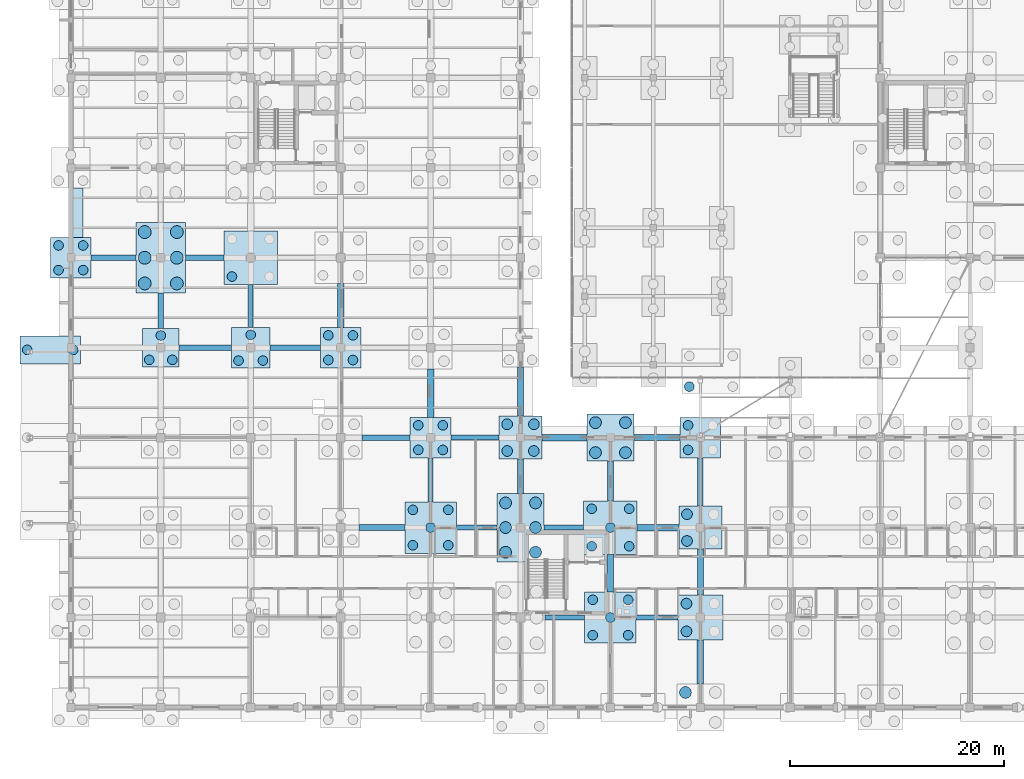
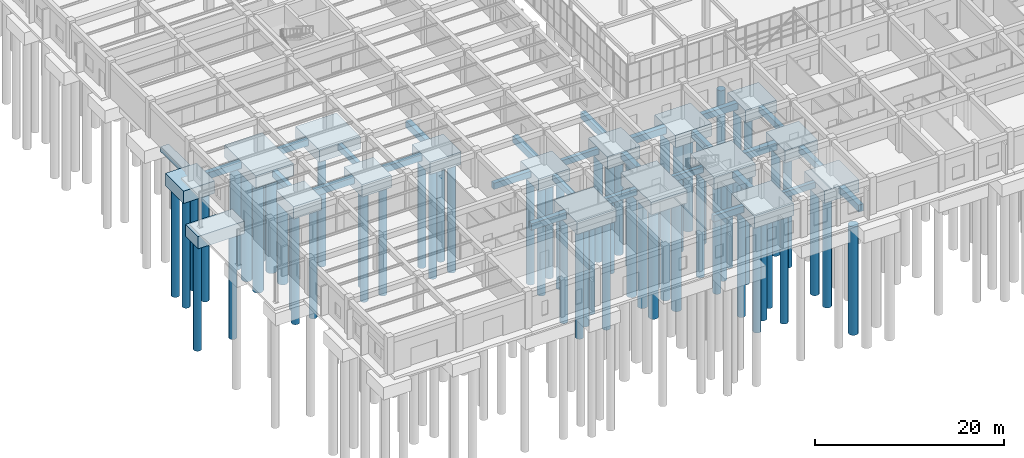
# One storey, part 2 of 192: 64 piles, 44 footings.
"""IFC4 building model written with IfcOpenShell, lengths in metres."""

from ifc_helpers import new_model, si_unit, direction, frame, origin, origin_2d, place, context, subcontext, project, spatial, rectangle, circle, extrude, material, layer, layer_set, material_profile, profile_set, type_object, element, save


model = new_model("IFC4")

# Units and contexts
model_context = context("Model", 3, precision=1e-05, world=origin(), true_north=direction((0.0, 1.0)))
body_context = subcontext(model_context, "Body", "Model", "MODEL_VIEW")
ifc_project = project(units=[si_unit("LENGTHUNIT", "METRE"), si_unit("AREAUNIT", "SQUARE_METRE"), si_unit("VOLUMEUNIT", "CUBIC_METRE"), si_unit("PLANEANGLEUNIT", "RADIAN"), si_unit("MASSUNIT", "GRAM", prefix="KILO")], contexts=[model_context])

# Site, building, storey
site_placement = place(None, origin())
site = spatial("IfcSite", under=ifc_project, at=site_placement, CompositionType="ELEMENT")
building_placement = place(site_placement, origin())
building = spatial("IfcBuilding", under=site, at=building_placement, Name="Trelvath General Hospital", CompositionType="ELEMENT")
storey_placement = place(building_placement, origin())
storey = spatial("IfcBuildingStorey", under=building, at=storey_placement, Name="L00", CompositionType="ELEMENT", Elevation=0.0)

# Piles
ifc_material_1 = material(Name="Concrete C35/45", Category="concrete")
ifc_material_profile_1 = material_profile(ifc_material_1, circle(Radius=0.5, at=origin_2d()), Name="PILE1000")
ifc_profile_set_1 = profile_set([ifc_material_profile_1], Name="Concrete C35/45")
pile_type_1 = type_object("IfcPileType", Name="BoredPile D1000", PredefinedType="BORED", material=ifc_profile_set_1)
for number, where, z_axis, x_axis, name in (
    (1, (40.75, 23.949951171875, -1.800048828125), (0.0, 0.0, -1.0), (1.0, 0.0, 0.0), "Bored Pile P-0317"),
    (2, (43.25, 23.949951171875, -1.800048828125), (0.0, 0.0, -1.0), (1.0, 0.0, 0.0), "Bored Pile P-0318"),
    (3, (40.75, 26.449951171875, -1.800048828125), (0.0, 0.0, -1.0), (1.0, 0.0, 0.0), "Bored Pile P-0319"),
    (4, (43.25, 26.449951171875, -1.800048828125), (0.0, 0.0, -1.0), (1.0, 0.0, 0.0), "Bored Pile P-0320"),
    (5, (57.5, 7.10009765625, -1.800048828125), (0.0, 0.0, -1.0), (1.0, 0.0, 0.0), "Bored Pile P-0432"),
    (6, (57.5, 9.699951171875, -1.800048828125), (0.0, 0.0, -1.0), (1.0, 0.0, 0.0), "Bored Pile P-0434"),
    (7, (57.550048828125, 15.550048828125, -1.800048828125), (0.0, 0.0, -1.0), (1.0, 0.0, 0.0), "Bored Pile P-0436"),
    (8, (57.550048828125, 18.050048828125, -1.800048828125), (0.0, 0.0, -1.0), (1.0, 0.0, 0.0), "Bored Pile P-0438"),
):
    element("IfcPile", number, at=place(storey_placement, frame(where, z_axis=z_axis, x_axis=x_axis)), inside=storey, type_object=pile_type_1, Name=name, PredefinedType="BORED", context=body_context, shape_type="SweptSolid", body=[
        extrude(circle(Radius=0.5, at=origin_2d()), origin(), (0.0, 0.0, 1.0), 14.0),
    ])
ifc_material_2 = material(Name="Concrete C35/45", Category="concrete")
ifc_material_profile_2 = material_profile(ifc_material_2, circle(Radius=0.550048828125, at=origin_2d()), Name="PILE1100")
ifc_profile_set_2 = profile_set([ifc_material_profile_2], Name="Concrete C35/45")
pile_type_2 = type_object("IfcPileType", Name="BoredPile D1100", PredefinedType="BORED", material=ifc_profile_set_2)
for number, where, z_axis, x_axis, name in (
    (9, (40.60009765625, 14.5, -1.800048828125), (0.0, 0.0, -1.0), (1.0, 0.0, 0.0), "Bored Pile P-0311"),
    (10, (43.39990234375, 14.5, -1.800048828125), (0.0, 0.0, -1.0), (1.0, 0.0, 0.0), "Bored Pile P-0312"),
    (11, (40.60009765625, 16.800048828125, -1.800048828125), (0.0, 0.0, -1.0), (1.0, 0.0, 0.0), "Bored Pile P-0313"),
    (12, (43.39990234375, 16.800048828125, -1.800048828125), (0.0, 0.0, -1.0), (1.0, 0.0, 0.0), "Bored Pile P-0314"),
    (13, (40.60009765625, 19.10009765625, -1.800048828125), (0.0, 0.0, -1.0), (1.0, 0.0, 0.0), "Bored Pile P-0315"),
    (14, (43.39990234375, 19.10009765625, -1.800048828125), (0.0, 0.0, -1.0), (1.0, 0.0, 0.0), "Bored Pile P-0316"),
    (15, (49.0, 23.800048828125, -1.800048828125), (0.0, 0.0, -1.0), (1.0, 0.0, 0.0), "Bored Pile P-0392"),
    (16, (51.800048828125, 23.800048828125, -1.800048828125), (0.0, 0.0, -1.0), (1.0, 0.0, 0.0), "Bored Pile P-0393"),
    (17, (49.0, 26.60009765625, -1.800048828125), (0.0, 0.0, -1.0), (1.0, 0.0, 0.0), "Bored Pile P-0394"),
    (18, (51.800048828125, 26.60009765625, -1.800048828125), (0.0, 0.0, -1.0), (1.0, 0.0, 0.0), "Bored Pile P-0395"),
    (19, (57.39990234375, 1.39990234375, -1.800048828125), (0.0, 0.0, -1.0), (1.0, 0.0, 0.0), "Bored Pile P-0430"),
):
    element("IfcPile", number, at=place(storey_placement, frame(where, z_axis=z_axis, x_axis=x_axis)), inside=storey, type_object=pile_type_2, Name=name, PredefinedType="BORED", context=body_context, shape_type="SweptSolid", body=[
        extrude(circle(Radius=0.550048828125, at=origin_2d()), origin(), (0.0, 0.0, 1.0), 14.0),
    ])
ifc_material_3 = material(Name="Concrete C35/45", Category="concrete")
ifc_material_profile_3 = material_profile(ifc_material_3, circle(Radius=0.60009765625, at=origin_2d()), Name="PILE1200")
ifc_profile_set_3 = profile_set([ifc_material_profile_3], Name="Concrete C35/45")
pile_type_3 = type_object("IfcPileType", Name="BoredPile D1200", PredefinedType="BORED", material=ifc_profile_set_3)
for number, where, z_axis, x_axis, name in (
    (20, (6.89990234375, 39.60009765625, -1.800048828125), (0.0, 0.0, -1.0), (1.0, 0.0, 0.0), "Bored Pile P-0066"),
    (21, (9.89990234375, 39.60009765625, -1.800048828125), (0.0, 0.0, -1.0), (1.0, 0.0, 0.0), "Bored Pile P-0067"),
    (22, (6.89990234375, 42.0, -1.800048828125), (0.0, 0.0, -1.0), (1.0, 0.0, 0.0), "Bored Pile P-0068"),
    (23, (9.89990234375, 42.0, -1.800048828125), (0.0, 0.0, -1.0), (1.0, 0.0, 0.0), "Bored Pile P-0069"),
    (24, (6.89990234375, 44.39990234375, -1.800048828125), (0.0, 0.0, -1.0), (1.0, 0.0, 0.0), "Bored Pile P-0070"),
    (25, (9.89990234375, 44.39990234375, -1.800048828125), (0.0, 0.0, -1.0), (1.0, 0.0, 0.0), "Bored Pile P-0071"),
):
    element("IfcPile", number, at=place(storey_placement, frame(where, z_axis=z_axis, x_axis=x_axis)), inside=storey, type_object=pile_type_3, Name=name, PredefinedType="BORED", context=body_context, shape_type="SweptSolid", body=[
        extrude(circle(Radius=0.60009765625, at=origin_2d()), origin(), (0.0, 0.0, 1.0), 14.0),
    ])
ifc_material_4 = material(Name="Concrete C35/45", Category="concrete")
ifc_material_profile_4 = material_profile(ifc_material_4, circle(Radius=0.449951171875, at=origin_2d()), Name="PILE900")
ifc_profile_set_4 = profile_set([ifc_material_profile_4], Name="Concrete C35/45")
pile_type_4 = type_object("IfcPileType", Name="BoredPile D900", PredefinedType="BORED", material=ifc_profile_set_4)
for number, where, z_axis, x_axis, name in (
    (26, (-4.080078125, 33.39990234375, -1.800048828125), (0.0, 0.0, -1.0), (1.0, 0.0, 0.0), "Bored Pile P-0005"),
    (27, (0.22998046875, 33.39990234375, -1.800048828125), (0.0, 0.0, -1.0), (1.0, 0.0, 0.0), "Bored Pile P-0006"),
    (28, (-1.14990234375, 40.85009765625, -1.800048828125), (0.0, 0.0, -1.0), (1.0, 0.0, 0.0), "Bored Pile P-0014"),
    (29, (1.14990234375, 40.85009765625, -1.800048828125), (0.0, 0.0, -1.0), (1.0, 0.0, 0.0), "Bored Pile P-0015"),
    (30, (-1.14990234375, 43.14990234375, -1.800048828125), (0.0, 0.0, -1.0), (1.0, 0.0, 0.0), "Bored Pile P-0016"),
    (31, (1.14990234375, 43.14990234375, -1.800048828125), (0.0, 0.0, -1.0), (1.0, 0.0, 0.0), "Bored Pile P-0017"),
    (32, (7.320068359375, 32.4599609375, -1.800048828125), (0.0, 0.0, -1.0), (1.0, 0.0, 0.0), "Bored Pile P-0063"),
    (33, (9.47998046875, 32.4599609375, -1.800048828125), (0.0, 0.0, -1.0), (1.0, 0.0, 0.0), "Bored Pile P-0064"),
    (34, (8.39990234375, 34.739990234375, -1.800048828125), (0.0, 0.0, -1.0), (1.0, 0.0, 0.0), "Bored Pile P-0065"),
    (35, (15.659912109375, 32.39990234375, -1.800048828125), (0.0, 0.0, -1.0), (1.0, 0.0, 0.0), "Bored Pile P-0127"),
    (36, (17.93994140625, 32.39990234375, -1.800048828125), (0.0, 0.0, -1.0), (1.0, 0.0, 0.0), "Bored Pile P-0128"),
    (37, (16.800048828125, 34.800048828125, -1.800048828125), (0.0, 0.0, -1.0), (1.0, 0.0, 0.0), "Bored Pile P-0129"),
    (38, (15.050048828125, 40.25, -1.800048828125), (0.0, 0.0, -1.0), (1.0, 0.0, 0.0), "Bored Pile P-0130"),
    (39, (24.050048828125, 32.449951171875, -1.800048828125), (0.0, 0.0, -1.0), (1.0, 0.0, 0.0), "Bored Pile P-0189"),
    (40, (26.35009765625, 32.449951171875, -1.800048828125), (0.0, 0.0, -1.0), (1.0, 0.0, 0.0), "Bored Pile P-0190"),
    (41, (24.050048828125, 34.75, -1.800048828125), (0.0, 0.0, -1.0), (1.0, 0.0, 0.0), "Bored Pile P-0191"),
    (42, (26.35009765625, 34.75, -1.800048828125), (0.0, 0.0, -1.0), (1.0, 0.0, 0.0), "Bored Pile P-0192"),
    (43, (31.949951171875, 15.14990234375, -1.800048828125), (0.0, 0.0, -1.0), (1.0, 0.0, 0.0), "Bored Pile P-0247"),
    (44, (35.25, 15.14990234375, -1.800048828125), (0.0, 0.0, -1.0), (1.0, 0.0, 0.0), "Bored Pile P-0248"),
    (45, (33.60009765625, 16.800048828125, -1.800048828125), (0.0, 0.0, -1.0), (1.0, 0.0, 0.0), "Bored Pile P-0249"),
    (46, (31.949951171875, 18.449951171875, -1.800048828125), (0.0, 0.0, -1.0), (1.0, 0.0, 0.0), "Bored Pile P-0250"),
    (47, (35.25, 18.449951171875, -1.800048828125), (0.0, 0.0, -1.0), (1.0, 0.0, 0.0), "Bored Pile P-0251"),
    (48, (32.449951171875, 24.050048828125, -1.800048828125), (0.0, 0.0, -1.0), (1.0, 0.0, 0.0), "Bored Pile P-0252"),
    (49, (34.75, 24.050048828125, -1.800048828125), (0.0, 0.0, -1.0), (1.0, 0.0, 0.0), "Bored Pile P-0253"),
    (50, (32.449951171875, 26.35009765625, -1.800048828125), (0.0, 0.0, -1.0), (1.0, 0.0, 0.0), "Bored Pile P-0254"),
    (51, (34.75, 26.35009765625, -1.800048828125), (0.0, 0.0, -1.0), (1.0, 0.0, 0.0), "Bored Pile P-0255"),
    (52, (48.75, 6.75, -1.800048828125), (0.0, 0.0, -1.0), (1.0, 0.0, 0.0), "Bored Pile P-0382"),
    (53, (52.050048828125, 6.75, -1.800048828125), (0.0, 0.0, -1.0), (1.0, 0.0, 0.0), "Bored Pile P-0383"),
    (54, (50.39990234375, 8.39990234375, -1.800048828125), (0.0, 0.0, -1.0), (1.0, 0.0, 0.0), "Bored Pile P-0384"),
    (55, (48.75, 10.050048828125, -1.800048828125), (0.0, 0.0, -1.0), (1.0, 0.0, 0.0), "Bored Pile P-0385"),
    (56, (52.050048828125, 10.050048828125, -1.800048828125), (0.0, 0.0, -1.0), (1.0, 0.0, 0.0), "Bored Pile P-0386"),
    (57, (48.64990234375, 15.050048828125, -1.800048828125), (0.0, 0.0, -1.0), (1.0, 0.0, 0.0), "Bored Pile P-0387"),
    (58, (52.14990234375, 15.050048828125, -1.800048828125), (0.0, 0.0, -1.0), (1.0, 0.0, 0.0), "Bored Pile P-0388"),
    (59, (50.39990234375, 16.800048828125, -1.800048828125), (0.0, 0.0, -1.0), (1.0, 0.0, 0.0), "Bored Pile P-0389"),
    (60, (48.64990234375, 18.550048828125, -1.800048828125), (0.0, 0.0, -1.0), (1.0, 0.0, 0.0), "Bored Pile P-0390"),
    (61, (52.14990234375, 18.550048828125, -1.800048828125), (0.0, 0.0, -1.0), (1.0, 0.0, 0.0), "Bored Pile P-0391"),
    (62, (57.64990234375, 24.050048828125, -1.800048828125), (0.0, 0.0, -1.0), (1.0, 0.0, 0.0), "Bored Pile P-0440"),
    (63, (57.64990234375, 26.35009765625, -1.800048828125), (0.0, 0.0, -1.0), (1.0, 0.0, 0.0), "Bored Pile P-0442"),
    (64, (57.77001953125, 29.969970703125, -1.800048828125), (0.0, 0.0, -1.0), (1.0, 0.0, 0.0), "Bored Pile P-0444"),
):
    element("IfcPile", number, at=place(storey_placement, frame(where, z_axis=z_axis, x_axis=x_axis)), inside=storey, type_object=pile_type_4, Name=name, PredefinedType="BORED", context=body_context, shape_type="SweptSolid", body=[
        extrude(circle(Radius=0.449951171875, at=origin_2d()), origin(), (0.0, 0.0, 1.0), 14.0),
    ])

# Footings
ifc_material_5 = material(Name="Concrete C35/45", Category="concrete")
ifc_layer_1 = layer(ifc_material_5, 1.60009765625)
ifc_layer_set_1 = layer_set([ifc_layer_1], Name="Concrete C35/45")
footing_type_1 = type_object("IfcFootingType", Name="PileCap 3P 340x360", PredefinedType="PILE_CAP", material=ifc_layer_set_1)
footing_1_placement = place(storey_placement, frame((8.39990234375, 33.60009765625, -1.900146484375), z_axis=(0.0, 0.0, 1.0), x_axis=(1.0, 0.0, 0.0)))
element("IfcFooting", 65, at=footing_1_placement, inside=storey, type_object=footing_type_1, Name="Pile Cap PC-020", PredefinedType="PILE_CAP", context=body_context, shape_type="SweptSolid", body=[
    extrude(rectangle(XDim=3.39990234375, YDim=3.60009765625, at=origin_2d()), origin(), (0.0, 0.0, 1.0), 1.60009765625),
])
ifc_material_6 = material(Name="Concrete C35/45", Category="concrete")
ifc_layer_2 = layer(ifc_material_6, 1.60009765625)
ifc_layer_set_2 = layer_set([ifc_layer_2], Name="Concrete C35/45")
footing_type_2 = type_object("IfcFootingType", Name="PileCap 3P 360x380", PredefinedType="PILE_CAP", material=ifc_layer_set_2)
footing_2_placement = place(storey_placement, frame((16.800048828125, 33.60009765625, -1.900146484375), z_axis=(0.0, 0.0, 1.0), x_axis=(1.0, 0.0, 0.0)))
element("IfcFooting", 66, at=footing_2_placement, inside=storey, type_object=footing_type_2, Name="Pile Cap PC-035", PredefinedType="PILE_CAP", context=body_context, shape_type="SweptSolid", body=[
    extrude(rectangle(XDim=3.60009765625, YDim=3.800048828125, at=origin_2d()), origin(), (0.0, 0.0, 1.0), 1.60009765625),
])
ifc_material_7 = material(Name="Concrete C35/45", Category="concrete")
ifc_layer_3 = layer(ifc_material_7, 1.60009765625)
ifc_layer_set_3 = layer_set([ifc_layer_3], Name="Concrete C35/45")
footing_type_3 = type_object("IfcFootingType", Name="PileCap 4P 380x380", PredefinedType="PILE_CAP", material=ifc_layer_set_3)
for number, where, z_axis, x_axis, name in (
    (67, (0.0, 42.0, -1.900146484375), (0.0, 0.0, 1.0), (1.0, 0.0, 0.0), "Pile Cap PC-006"),
    (68, (25.199951171875, 33.60009765625, -1.900146484375), (0.0, 0.0, 1.0), (1.0, 0.0, 0.0), "Pile Cap PC-050"),
    (69, (33.60009765625, 25.199951171875, -1.900146484375), (0.0, 0.0, 1.0), (1.0, 0.0, 0.0), "Pile Cap PC-064"),
    (70, (58.800048828125, 25.199951171875, -1.900146484375), (0.0, 0.0, 1.0), (1.0, 0.0, 0.0), "Pile Cap PC-116"),
):
    element("IfcFooting", number, at=place(storey_placement, frame(where, z_axis=z_axis, x_axis=x_axis)), inside=storey, type_object=footing_type_3, Name=name, PredefinedType="PILE_CAP", context=body_context, shape_type="SweptSolid", body=[
        extrude(rectangle(XDim=3.800048828125, YDim=3.800048828125, at=origin_2d()), origin(), (0.0, 0.0, 1.0), 1.60009765625),
    ])
ifc_material_8 = material(Name="Concrete C35/45", Category="concrete")
ifc_layer_4 = layer(ifc_material_8, 1.60009765625)
ifc_layer_set_4 = layer_set([ifc_layer_4], Name="Concrete C35/45")
footing_type_4 = type_object("IfcFootingType", Name="PileCap 4P 400x400", PredefinedType="PILE_CAP", material=ifc_layer_set_4)
for number, where, z_axis, x_axis, name in (
    (71, (42.0, 25.199951171875, -1.900146484375), (0.0, 0.0, 1.0), (1.0, 0.0, 0.0), "Pile Cap PC-079"),
    (72, (58.800048828125, 16.800048828125, -1.900146484375), (0.0, 0.0, 1.0), (1.0, 0.0, 0.0), "Pile Cap PC-115"),
):
    element("IfcFooting", number, at=place(storey_placement, frame(where, z_axis=z_axis, x_axis=x_axis)), inside=storey, type_object=footing_type_4, Name=name, PredefinedType="PILE_CAP", context=body_context, shape_type="SweptSolid", body=[
        extrude(rectangle(XDim=4.0, YDim=4.0, at=origin_2d()), origin(), (0.0, 0.0, 1.0), 1.60009765625),
    ])
ifc_material_9 = material(Name="Concrete C35/45", Category="concrete")
ifc_layer_5 = layer(ifc_material_9, 1.60009765625)
ifc_layer_set_5 = layer_set([ifc_layer_5], Name="Concrete C35/45")
footing_type_5 = type_object("IfcFootingType", Name="PileCap 4P 420x420", PredefinedType="PILE_CAP", material=ifc_layer_set_5)
footing_3_placement = place(storey_placement, frame((58.800048828125, 8.39990234375, -1.900146484375), z_axis=(0.0, 0.0, 1.0), x_axis=(1.0, 0.0, 0.0)))
element("IfcFooting", 73, at=footing_3_placement, inside=storey, type_object=footing_type_5, Name="Pile Cap PC-114", PredefinedType="PILE_CAP", context=body_context, shape_type="SweptSolid", body=[
    extrude(rectangle(XDim=4.199951171875, YDim=4.199951171875, at=origin_2d()), origin(), (0.0, 0.0, 1.0), 1.60009765625),
])
ifc_material_10 = material(Name="Concrete C35/45", Category="concrete")
ifc_layer_6 = layer(ifc_material_10, 1.60009765625)
ifc_layer_set_6 = layer_set([ifc_layer_6], Name="Concrete C35/45")
footing_type_6 = type_object("IfcFootingType", Name="PileCap 4P 440x440", PredefinedType="PILE_CAP", material=ifc_layer_set_6)
footing_4_placement = place(storey_placement, frame((50.39990234375, 25.199951171875, -1.900146484375), z_axis=(0.0, 0.0, 1.0), x_axis=(1.0, 0.0, 0.0)))
element("IfcFooting", 74, at=footing_4_placement, inside=storey, type_object=footing_type_6, Name="Pile Cap PC-101", PredefinedType="PILE_CAP", context=body_context, shape_type="SweptSolid", body=[
    extrude(rectangle(XDim=4.39990234375, YDim=4.39990234375, at=origin_2d()), origin(), (0.0, 0.0, 1.0), 1.60009765625),
])
ifc_material_11 = material(Name="Concrete C35/45", Category="concrete")
ifc_layer_7 = layer(ifc_material_11, 1.60009765625)
ifc_layer_set_7 = layer_set([ifc_layer_7], Name="Concrete C35/45")
footing_type_7 = type_object("IfcFootingType", Name="PileCap 5P 480x480", PredefinedType="PILE_CAP", material=ifc_layer_set_7)
for number, where, z_axis, x_axis, name in (
    (75, (33.60009765625, 16.800048828125, -1.900146484375), (0.0, 0.0, 1.0), (1.0, 0.0, 0.0), "Pile Cap PC-063"),
    (76, (50.39990234375, 8.39990234375, -1.900146484375), (0.0, 0.0, 1.0), (1.0, 0.0, 0.0), "Pile Cap PC-099"),
):
    element("IfcFooting", number, at=place(storey_placement, frame(where, z_axis=z_axis, x_axis=x_axis)), inside=storey, type_object=footing_type_7, Name=name, PredefinedType="PILE_CAP", context=body_context, shape_type="SweptSolid", body=[
        extrude(rectangle(XDim=4.800048828125, YDim=4.800048828125, at=origin_2d()), origin(), (0.0, 0.0, 1.0), 1.60009765625),
    ])
ifc_material_12 = material(Name="Concrete C35/45", Category="concrete")
ifc_layer_8 = layer(ifc_material_12, 1.60009765625)
ifc_layer_set_8 = layer_set([ifc_layer_8], Name="Concrete C35/45")
footing_type_8 = type_object("IfcFootingType", Name="PileCap 5P 500x500", PredefinedType="PILE_CAP", material=ifc_layer_set_8)
for number, where, z_axis, x_axis, name in (
    (77, (16.800048828125, 42.0, -1.900146484375), (0.0, 0.0, 1.0), (1.0, 0.0, 0.0), "Pile Cap PC-036"),
    (78, (50.39990234375, 16.800048828125, -1.900146484375), (0.0, 0.0, 1.0), (1.0, 0.0, 0.0), "Pile Cap PC-100"),
):
    element("IfcFooting", number, at=place(storey_placement, frame(where, z_axis=z_axis, x_axis=x_axis)), inside=storey, type_object=footing_type_8, Name=name, PredefinedType="PILE_CAP", context=body_context, shape_type="SweptSolid", body=[
        extrude(rectangle(XDim=5.0, YDim=5.0, at=origin_2d()), origin(), (0.0, 0.0, 1.0), 1.60009765625),
    ])
ifc_material_13 = material(Name="Concrete C35/45", Category="concrete")
ifc_layer_9 = layer(ifc_material_13, 1.60009765625)
ifc_layer_set_9 = layer_set([ifc_layer_9], Name="Concrete C35/45")
footing_type_9 = type_object("IfcFootingType", Name="PileCap 6P 440x640", PredefinedType="PILE_CAP", material=ifc_layer_set_9)
footing_5_placement = place(storey_placement, frame((42.0, 16.800048828125, -1.900146484375), z_axis=(0.0, 0.0, 1.0), x_axis=(1.0, 0.0, 0.0)))
element("IfcFooting", 79, at=footing_5_placement, inside=storey, type_object=footing_type_9, Name="Pile Cap PC-078", PredefinedType="PILE_CAP", context=body_context, shape_type="SweptSolid", body=[
    extrude(rectangle(XDim=4.39990234375, YDim=6.39990234375, at=origin_2d()), origin(), (0.0, 0.0, 1.0), 1.60009765625),
])
ifc_material_14 = material(Name="Concrete C35/45", Category="concrete")
ifc_layer_10 = layer(ifc_material_14, 1.60009765625)
ifc_layer_set_10 = layer_set([ifc_layer_10], Name="Concrete C35/45")
footing_type_10 = type_object("IfcFootingType", Name="PileCap 6P 460x660", PredefinedType="PILE_CAP", material=ifc_layer_set_10)
footing_6_placement = place(storey_placement, frame((8.39990234375, 42.0, -1.900146484375), z_axis=(0.0, 0.0, 1.0), x_axis=(1.0, 0.0, 0.0)))
element("IfcFooting", 80, at=footing_6_placement, inside=storey, type_object=footing_type_10, Name="Pile Cap PC-021", PredefinedType="PILE_CAP", context=body_context, shape_type="SweptSolid", body=[
    extrude(rectangle(XDim=4.60009765625, YDim=6.60009765625, at=origin_2d()), origin(), (0.0, 0.0, 1.0), 1.60009765625),
])
ifc_material_15 = material(Name="Concrete C35/45", Category="concrete")
ifc_layer_11 = layer(ifc_material_15, 1.60009765625)
ifc_layer_set_11 = layer_set([ifc_layer_11], Name="Concrete C35/45")
footing_type_11 = type_object("IfcFootingType", Name="PileCap Comb 565x260", PredefinedType="PILE_CAP", material=ifc_layer_set_11)
footing_7_placement = place(storey_placement, frame((-1.925048828125, 33.39990234375, -1.900146484375), z_axis=(0.0, 0.0, 1.0), x_axis=(1.0, 0.0, 0.0)))
element("IfcFooting", 81, at=footing_7_placement, inside=storey, type_object=footing_type_11, Name="Pile Cap PC-003", PredefinedType="PILE_CAP", context=body_context, shape_type="SweptSolid", body=[
    extrude(rectangle(XDim=5.64990234375, YDim=2.60009765625, at=origin_2d()), origin(), (0.0, 0.0, 1.0), 1.60009765625),
])
ifc_material_16 = material(Name="Concrete C35/45", Category="concrete")
ifc_layer_12 = layer(ifc_material_16, 0.64990234375)
ifc_layer_set_12 = layer_set([ifc_layer_12], Name="Concrete C35/45")
footing_type_12 = type_object("IfcFootingType", Name="StripFooting 1000x650", PredefinedType="STRIP_FOOTING", material=ifc_layer_set_12)
footing_8_placement = place(storey_placement, frame((0.64990234375, 46.199951171875, -1.010009765625), z_axis=(0.0, 0.0, 1.0), x_axis=(1.0, 0.0, 0.0)))
element("IfcFooting", 82, at=footing_8_placement, inside=storey, type_object=footing_type_12, Name="Radiation Wall Strip Footing SF-02", PredefinedType="STRIP_FOOTING", context=body_context, shape_type="SweptSolid", body=[
    extrude(rectangle(XDim=1.0, YDim=4.60009765625, at=origin_2d()), origin(), (0.0, 0.0, 1.0), 0.64990234375),
])
ifc_material_17 = material(Name="Concrete C35/45", Category="concrete")
ifc_layer_13 = layer(ifc_material_17, 0.75)
ifc_layer_set_13 = layer_set([ifc_layer_13], Name="Concrete C35/45")
footing_type_13 = type_object("IfcFootingType", Name="TieBeam 450x750", PredefinedType="FOOTING_BEAM", material=ifc_layer_set_13)
footing_9_placement = place(storey_placement, frame((16.800048828125, 37.5, -1.050048828125), z_axis=(0.0, 0.0, 1.0), x_axis=(1.0, 0.0, 0.0)))
element("IfcFooting", 83, at=footing_9_placement, inside=storey, type_object=footing_type_13, Name="Foundation Tie Beam TB-049", PredefinedType="FOOTING_BEAM", context=body_context, shape_type="SweptSolid", body=[
    extrude(rectangle(XDim=0.449951171875, YDim=4.0, at=origin_2d()), origin(), (0.0, 0.0, 1.0), 0.75),
])
footing_10_placement = place(storey_placement, frame((33.60009765625, 21.25, -1.050048828125), z_axis=(0.0, 0.0, 1.0), x_axis=(1.0, 0.0, 0.0)))
element("IfcFooting", 84, at=footing_10_placement, inside=storey, type_object=footing_type_13, Name="Foundation Tie Beam TB-097", PredefinedType="FOOTING_BEAM", context=body_context, shape_type="SweptSolid", body=[
    extrude(rectangle(XDim=0.449951171875, YDim=4.10009765625, at=origin_2d()), origin(), (0.0, 0.0, 1.0), 0.75),
])
footing_11_placement = place(storey_placement, frame((37.75, 25.199951171875, -1.050048828125), z_axis=(0.0, 0.0, 1.0), x_axis=(1.0, 0.0, 0.0)))
element("IfcFooting", 85, at=footing_11_placement, inside=storey, type_object=footing_type_13, Name="Foundation Tie Beam TB-098", PredefinedType="FOOTING_BEAM", context=body_context, shape_type="SweptSolid", body=[
    extrude(rectangle(XDim=4.5, YDim=0.449951171875, at=origin_2d()), origin(), (0.0, 0.0, 1.0), 0.75),
])
footing_12_placement = place(storey_placement, frame((46.050048828125, 16.800048828125, -1.050048828125), z_axis=(0.0, 0.0, 1.0), x_axis=(1.0, 0.0, 0.0)))
element("IfcFooting", 86, at=footing_12_placement, inside=storey, type_object=footing_type_13, Name="Foundation Tie Beam TB-122", PredefinedType="FOOTING_BEAM", context=body_context, shape_type="SweptSolid", body=[
    extrude(rectangle(XDim=3.699951171875, YDim=0.449951171875, at=origin_2d()), origin(), (0.0, 0.0, 1.0), 0.75),
])
footing_13_placement = place(storey_placement, frame((54.75, 8.39990234375, -1.050048828125), z_axis=(0.0, 0.0, 1.0), x_axis=(1.0, 0.0, 0.0)))
element("IfcFooting", 87, at=footing_13_placement, inside=storey, type_object=footing_type_13, Name="Foundation Tie Beam TB-139", PredefinedType="FOOTING_BEAM", context=body_context, shape_type="SweptSolid", body=[
    extrude(rectangle(XDim=3.89990234375, YDim=0.449951171875, at=origin_2d()), origin(), (0.0, 0.0, 1.0), 0.75),
])
ifc_material_18 = material(Name="Concrete C35/45", Category="concrete")
ifc_layer_14 = layer(ifc_material_18, 0.800048828125)
ifc_layer_set_14 = layer_set([ifc_layer_14], Name="Concrete C35/45")
footing_type_14 = type_object("IfcFootingType", Name="TieBeam 500x800", PredefinedType="FOOTING_BEAM", material=ifc_layer_set_14)
footing_14_placement = place(storey_placement, frame((8.39990234375, 37.050048828125, -1.10009765625), z_axis=(0.0, 0.0, 1.0), x_axis=(1.0, 0.0, 0.0)))
element("IfcFooting", 88, at=footing_14_placement, inside=storey, type_object=footing_type_14, Name="Foundation Tie Beam TB-023", PredefinedType="FOOTING_BEAM", context=body_context, shape_type="SweptSolid", body=[
    extrude(rectangle(XDim=0.5, YDim=3.300048828125, at=origin_2d()), origin(), (0.0, 0.0, 1.0), 0.800048828125),
])
footing_15_placement = place(storey_placement, frame((12.5, 42.0, -1.10009765625), z_axis=(0.0, 0.0, 1.0), x_axis=(1.0, 0.0, 0.0)))
element("IfcFooting", 89, at=footing_15_placement, inside=storey, type_object=footing_type_14, Name="Foundation Tie Beam TB-024", PredefinedType="FOOTING_BEAM", context=body_context, shape_type="SweptSolid", body=[
    extrude(rectangle(XDim=3.60009765625, YDim=0.5, at=origin_2d()), origin(), (0.0, 0.0, 1.0), 0.800048828125),
])
footing_16_placement = place(storey_placement, frame((20.949951171875, 33.60009765625, -1.10009765625), z_axis=(0.0, 0.0, 1.0), x_axis=(1.0, 0.0, 0.0)))
element("IfcFooting", 90, at=footing_16_placement, inside=storey, type_object=footing_type_14, Name="Foundation Tie Beam TB-048", PredefinedType="FOOTING_BEAM", context=body_context, shape_type="SweptSolid", body=[
    extrude(rectangle(XDim=4.699951171875, YDim=0.5, at=origin_2d()), origin(), (0.0, 0.0, 1.0), 0.800048828125),
])
footing_17_placement = place(storey_placement, frame((29.449951171875, 25.199951171875, -1.10009765625), z_axis=(0.0, 0.0, 1.0), x_axis=(1.0, 0.0, 0.0)))
element("IfcFooting", 91, at=footing_17_placement, inside=storey, type_object=footing_type_14, Name="Foundation Tie Beam TB-072", PredefinedType="FOOTING_BEAM", context=body_context, shape_type="SweptSolid", body=[
    extrude(rectangle(XDim=4.5, YDim=0.5, at=origin_2d()), origin(), (0.0, 0.0, 1.0), 0.800048828125),
])
footing_18_placement = place(storey_placement, frame((37.89990234375, 16.800048828125, -1.10009765625), z_axis=(0.0, 0.0, 1.0), x_axis=(1.0, 0.0, 0.0)))
element("IfcFooting", 92, at=footing_18_placement, inside=storey, type_object=footing_type_14, Name="Foundation Tie Beam TB-096", PredefinedType="FOOTING_BEAM", context=body_context, shape_type="SweptSolid", body=[
    extrude(rectangle(XDim=3.800048828125, YDim=0.5, at=origin_2d()), origin(), (0.0, 0.0, 1.0), 0.800048828125),
])
footing_19_placement = place(storey_placement, frame((46.14990234375, 8.39990234375, -1.10009765625), z_axis=(0.0, 0.0, 1.0), x_axis=(1.0, 0.0, 0.0)))
element("IfcFooting", 93, at=footing_19_placement, inside=storey, type_object=footing_type_14, Name="Foundation Tie Beam TB-120", PredefinedType="FOOTING_BEAM", context=body_context, shape_type="SweptSolid", body=[
    extrude(rectangle(XDim=3.699951171875, YDim=0.5, at=origin_2d()), origin(), (0.0, 0.0, 1.0), 0.800048828125),
])
footing_20_placement = place(storey_placement, frame((58.800048828125, 21.050048828125, -1.10009765625), z_axis=(0.0, 0.0, 1.0), x_axis=(1.0, 0.0, 0.0)))
element("IfcFooting", 94, at=footing_20_placement, inside=storey, type_object=footing_type_14, Name="Foundation Tie Beam TB-153", PredefinedType="FOOTING_BEAM", context=body_context, shape_type="SweptSolid", body=[
    extrude(rectangle(XDim=0.5, YDim=4.5, at=origin_2d()), origin(), (0.0, 0.0, 1.0), 0.800048828125),
])
ifc_material_19 = material(Name="Concrete C35/45", Category="concrete")
ifc_layer_15 = layer(ifc_material_19, 0.85009765625)
ifc_layer_set_15 = layer_set([ifc_layer_15], Name="Concrete C35/45")
footing_type_15 = type_object("IfcFootingType", Name="TieBeam 550x850", PredefinedType="FOOTING_BEAM", material=ifc_layer_set_15)
footing_21_placement = place(storey_placement, frame((4.0, 42.0, -1.150146484375), z_axis=(0.0, 0.0, 1.0), x_axis=(1.0, 0.0, 0.0)))
element("IfcFooting", 95, at=footing_21_placement, inside=storey, type_object=footing_type_15, Name="Foundation Tie Beam TB-003", PredefinedType="FOOTING_BEAM", context=body_context, shape_type="SweptSolid", body=[
    extrude(rectangle(XDim=4.199951171875, YDim=0.550048828125, at=origin_2d()), origin(), (0.0, 0.0, 1.0), 0.85009765625),
])
footing_22_placement = place(storey_placement, frame((12.550048828125, 33.60009765625, -1.150146484375), z_axis=(0.0, 0.0, 1.0), x_axis=(1.0, 0.0, 0.0)))
element("IfcFooting", 96, at=footing_22_placement, inside=storey, type_object=footing_type_15, Name="Foundation Tie Beam TB-022", PredefinedType="FOOTING_BEAM", context=body_context, shape_type="SweptSolid", body=[
    extrude(rectangle(XDim=4.89990234375, YDim=0.550048828125, at=origin_2d()), origin(), (0.0, 0.0, 1.0), 0.85009765625),
])
footing_23_placement = place(storey_placement, frame((29.050048828125, 16.800048828125, -1.150146484375), z_axis=(0.0, 0.0, 1.0), x_axis=(1.0, 0.0, 0.0)))
element("IfcFooting", 97, at=footing_23_placement, inside=storey, type_object=footing_type_15, Name="Foundation Tie Beam TB-070", PredefinedType="FOOTING_BEAM", context=body_context, shape_type="SweptSolid", body=[
    extrude(rectangle(XDim=4.300048828125, YDim=0.550048828125, at=origin_2d()), origin(), (0.0, 0.0, 1.0), 0.85009765625),
])
footing_24_placement = place(storey_placement, frame((42.0, 29.5, -1.150146484375), z_axis=(0.0, 0.0, 1.0), x_axis=(1.0, 0.0, 0.0)))
element("IfcFooting", 98, at=footing_24_placement, inside=storey, type_object=footing_type_15, Name="Foundation Tie Beam TB-125", PredefinedType="FOOTING_BEAM", context=body_context, shape_type="SweptSolid", body=[
    extrude(rectangle(XDim=0.550048828125, YDim=4.60009765625, at=origin_2d()), origin(), (0.0, 0.0, 1.0), 0.85009765625),
])
footing_25_placement = place(storey_placement, frame((50.39990234375, 21.14990234375, -1.150146484375), z_axis=(0.0, 0.0, 1.0), x_axis=(1.0, 0.0, 0.0)))
element("IfcFooting", 99, at=footing_25_placement, inside=storey, type_object=footing_type_15, Name="Foundation Tie Beam TB-142", PredefinedType="FOOTING_BEAM", context=body_context, shape_type="SweptSolid", body=[
    extrude(rectangle(XDim=0.550048828125, YDim=3.699951171875, at=origin_2d()), origin(), (0.0, 0.0, 1.0), 0.85009765625),
])
footing_26_placement = place(storey_placement, frame((54.75, 25.199951171875, -1.150146484375), z_axis=(0.0, 0.0, 1.0), x_axis=(1.0, 0.0, 0.0)))
element("IfcFooting", 100, at=footing_26_placement, inside=storey, type_object=footing_type_15, Name="Foundation Tie Beam TB-143", PredefinedType="FOOTING_BEAM", context=body_context, shape_type="SweptSolid", body=[
    extrude(rectangle(XDim=4.300048828125, YDim=0.550048828125, at=origin_2d()), origin(), (0.0, 0.0, 1.0), 0.85009765625),
])
footing_27_placement = place(storey_placement, frame((58.800048828125, 12.64990234375, -1.150146484375), z_axis=(0.0, 0.0, 1.0), x_axis=(1.0, 0.0, 0.0)))
element("IfcFooting", 101, at=footing_27_placement, inside=storey, type_object=footing_type_15, Name="Foundation Tie Beam TB-151", PredefinedType="FOOTING_BEAM", context=body_context, shape_type="SweptSolid", body=[
    extrude(rectangle(XDim=0.550048828125, YDim=4.300048828125, at=origin_2d()), origin(), (0.0, 0.0, 1.0), 0.85009765625),
])
ifc_material_20 = material(Name="Concrete C35/45", Category="concrete")
ifc_layer_16 = layer(ifc_material_20, 0.89990234375)
ifc_layer_set_16 = layer_set([ifc_layer_16], Name="Concrete C35/45")
footing_type_16 = type_object("IfcFootingType", Name="TieBeam 600x900", PredefinedType="FOOTING_BEAM", material=ifc_layer_set_16)
footing_28_placement = place(storey_placement, frame((25.199951171875, 37.550048828125, -1.199951171875), z_axis=(0.0, 0.0, 1.0), x_axis=(1.0, 0.0, 0.0)))
element("IfcFooting", 102, at=footing_28_placement, inside=storey, type_object=footing_type_16, Name="Foundation Tie Beam TB-075", PredefinedType="FOOTING_BEAM", context=body_context, shape_type="SweptSolid", body=[
    extrude(rectangle(XDim=0.60009765625, YDim=4.10009765625, at=origin_2d()), origin(), (0.0, 0.0, 1.0), 0.89990234375),
])
footing_29_placement = place(storey_placement, frame((33.60009765625, 29.35009765625, -1.199951171875), z_axis=(0.0, 0.0, 1.0), x_axis=(1.0, 0.0, 0.0)))
element("IfcFooting", 103, at=footing_29_placement, inside=storey, type_object=footing_type_16, Name="Foundation Tie Beam TB-099", PredefinedType="FOOTING_BEAM", context=body_context, shape_type="SweptSolid", body=[
    extrude(rectangle(XDim=0.60009765625, YDim=4.5, at=origin_2d()), origin(), (0.0, 0.0, 1.0), 0.89990234375),
])
footing_30_placement = place(storey_placement, frame((42.0, 21.60009765625, -1.199951171875), z_axis=(0.0, 0.0, 1.0), x_axis=(1.0, 0.0, 0.0)))
element("IfcFooting", 104, at=footing_30_placement, inside=storey, type_object=footing_type_16, Name="Foundation Tie Beam TB-123", PredefinedType="FOOTING_BEAM", context=body_context, shape_type="SweptSolid", body=[
    extrude(rectangle(XDim=0.60009765625, YDim=3.199951171875, at=origin_2d()), origin(), (0.0, 0.0, 1.0), 0.89990234375),
])
footing_31_placement = place(storey_placement, frame((46.10009765625, 25.199951171875, -1.199951171875), z_axis=(0.0, 0.0, 1.0), x_axis=(1.0, 0.0, 0.0)))
element("IfcFooting", 105, at=footing_31_placement, inside=storey, type_object=footing_type_16, Name="Foundation Tie Beam TB-124", PredefinedType="FOOTING_BEAM", context=body_context, shape_type="SweptSolid", body=[
    extrude(rectangle(XDim=4.199951171875, YDim=0.60009765625, at=origin_2d()), origin(), (0.0, 0.0, 1.0), 0.89990234375),
])
footing_32_placement = place(storey_placement, frame((50.39990234375, 12.550048828125, -1.199951171875), z_axis=(0.0, 0.0, 1.0), x_axis=(1.0, 0.0, 0.0)))
element("IfcFooting", 106, at=footing_32_placement, inside=storey, type_object=footing_type_16, Name="Foundation Tie Beam TB-140", PredefinedType="FOOTING_BEAM", context=body_context, shape_type="SweptSolid", body=[
    extrude(rectangle(XDim=0.60009765625, YDim=3.5, at=origin_2d()), origin(), (0.0, 0.0, 1.0), 0.89990234375),
])
footing_33_placement = place(storey_placement, frame((54.85009765625, 16.800048828125, -1.199951171875), z_axis=(0.0, 0.0, 1.0), x_axis=(1.0, 0.0, 0.0)))
element("IfcFooting", 107, at=footing_33_placement, inside=storey, type_object=footing_type_16, Name="Foundation Tie Beam TB-141", PredefinedType="FOOTING_BEAM", context=body_context, shape_type="SweptSolid", body=[
    extrude(rectangle(XDim=3.89990234375, YDim=0.60009765625, at=origin_2d()), origin(), (0.0, 0.0, 1.0), 0.89990234375),
])
footing_34_placement = place(storey_placement, frame((58.800048828125, 4.25, -1.199951171875), z_axis=(0.0, 0.0, 1.0), x_axis=(1.0, 0.0, 0.0)))
element("IfcFooting", 108, at=footing_34_placement, inside=storey, type_object=footing_type_16, Name="Foundation Tie Beam TB-149", PredefinedType="FOOTING_BEAM", context=body_context, shape_type="SweptSolid", body=[
    extrude(rectangle(XDim=0.60009765625, YDim=4.10009765625, at=origin_2d()), origin(), (0.0, 0.0, 1.0), 0.89990234375),
])

save(model, "model.ifc")
